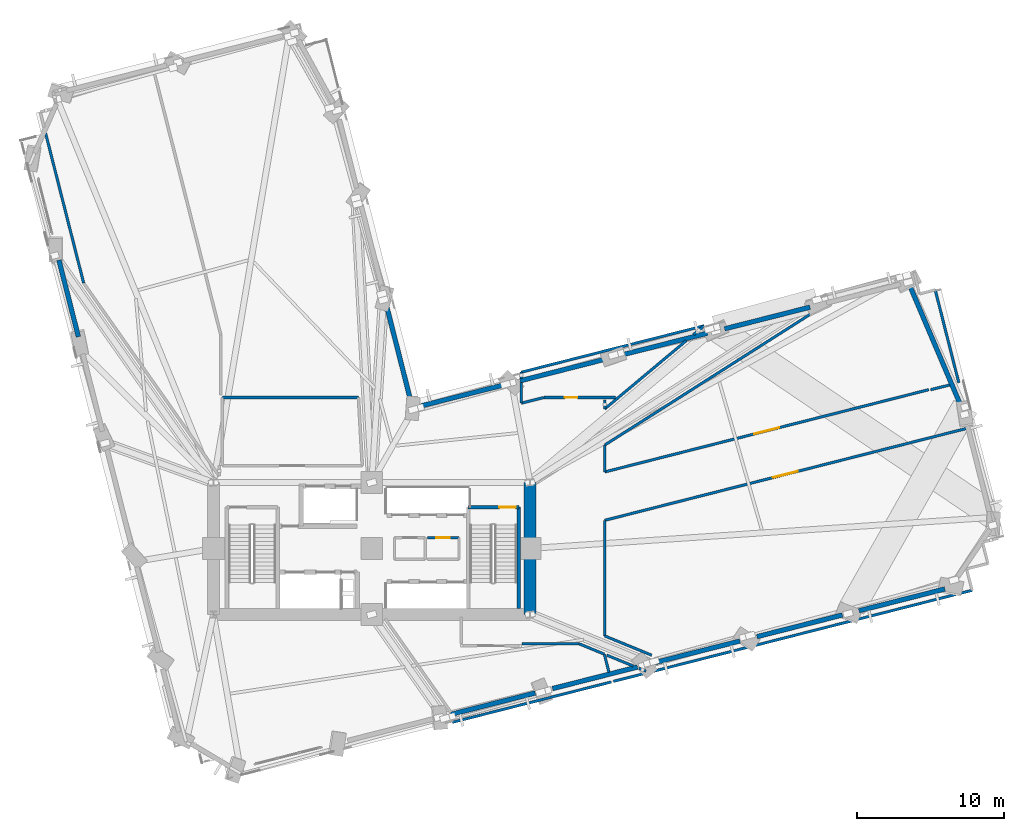
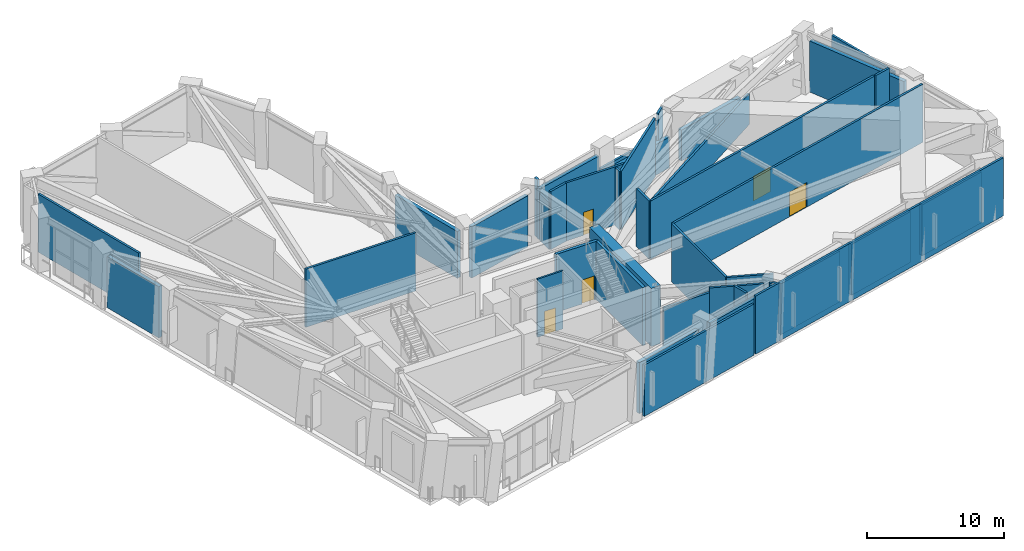
# One storey, part 11 of 17: 41 walls, 5 doors, 5 openings.
"""IFC4 building model written with IfcOpenShell, lengths in metres."""

import ifcopenshell
import ifcopenshell.guid

model = None  # the IFC model being written
_history = None  # IfcOwnerHistory: only IFC2X3 demands one
_inside = {}  # id of a spatial element -> (the spatial element, [elements in it])
_under = {}  # id of a project, library or spatial element -> (it, [spatial elements below it])
_declared = {}  # id of a project -> (the project, [libraries it declares])
_typed = {}  # id of a type object -> (the type object, [elements of that type])
_made_of = {}  # id of a material, layer set ... -> (it, [elements and type objects made of it])


def new_model(schema):
    """Start an empty IFC model of exactly this schema.

    Asked for "IFC4X3", IfcOpenShell would pick the latest addendum, in which some entities
    have other attributes; the version numbers below select the first issue.
    IFC2X3 requires an IfcOwnerHistory on every rooted entity: one is made here for all.
    """
    global model, _history
    if schema == "IFC4X3":
        model = ifcopenshell.file(schema_version=(4, 3, 0, 0))
    else:
        model = ifcopenshell.file(schema=schema)
    _inside.clear()
    _under.clear()
    _declared.clear()
    _typed.clear()
    _made_of.clear()
    _history = None
    if model.schema == "IFC2X3":
        org = make("IfcOrganization", Name="unknown")
        user = make(
            "IfcPersonAndOrganization",
            ThePerson=make("IfcPerson", FamilyName="unknown"),
            TheOrganization=org,
        )
        app = make(
            "IfcApplication",
            ApplicationDeveloper=org,
            Version="unknown",
            ApplicationFullName="unknown",
            ApplicationIdentifier="unknown",
        )
        _history = make(
            "IfcOwnerHistory",
            OwningUser=user,
            OwningApplication=app,
            ChangeAction="ADDED",
            CreationDate=0,
        )
    return model


def make(cls, **values):
    """One entity of the class cls with the attributes given. An attribute that is None is left unset."""
    return model.create_entity(
        cls, **{name: value for name, value in values.items() if value is not None}
    )


def rooted(cls, **values):
    """An entity with a GlobalId (a new one), such as an element, a storey or a relation."""
    return make(cls, GlobalId=ifcopenshell.guid.new(), OwnerHistory=_history, **values)


def si_unit(unit_type, name, prefix=None):
    """IfcSIUnit, for example si_unit("LENGTHUNIT", "METRE", prefix="MILLI")."""
    return make("IfcSIUnit", UnitType=unit_type, Prefix=prefix, Name=name)


def assignment(units):
    """IfcUnitAssignment: the units of a project."""
    return None if units is None else make("IfcUnitAssignment", Units=units)


def point(xyz):
    """IfcCartesianPoint."""
    return None if xyz is None else make("IfcCartesianPoint", Coordinates=xyz)


def direction(xyz):
    """IfcDirection."""
    return None if xyz is None else make("IfcDirection", DirectionRatios=xyz)


def frame(location, z_axis=None, x_axis=None):
    """IfcAxis2Placement3D, a coordinate frame: its origin and axes. An axis left out is left unset."""
    return make(
        "IfcAxis2Placement3D",
        Location=point(location),
        Axis=direction(z_axis),
        RefDirection=direction(x_axis),
    )


def frame_2d(location, x_axis=None):
    """IfcAxis2Placement2D, a coordinate frame in the plane: its origin and x axis."""
    return make(
        "IfcAxis2Placement2D", Location=point(location), RefDirection=direction(x_axis)
    )


def origin():
    """The frame at (0, 0, 0) with its axes left unset."""
    return frame((0.0, 0.0, 0.0))


def place(relative_to, where):
    """IfcLocalPlacement: puts the frame where relative to a parent placement (None: the world)."""
    return make(
        "IfcLocalPlacement", PlacementRelTo=relative_to, RelativePlacement=where
    )


def context(
    kind, dimensions, precision=None, world=None, true_north=None, identifier=None
):
    """IfcGeometricRepresentationContext, for example the 3D "Model" context."""
    return make(
        "IfcGeometricRepresentationContext",
        ContextIdentifier=identifier,
        ContextType=kind,
        CoordinateSpaceDimension=dimensions,
        Precision=precision,
        WorldCoordinateSystem=world,
        TrueNorth=true_north,
    )


def subcontext(parent, identifier, kind, view, scale=None):
    """IfcGeometricRepresentationSubContext, for example "Body" below "Model"."""
    return make(
        "IfcGeometricRepresentationSubContext",
        ContextIdentifier=identifier,
        ContextType=kind,
        ParentContext=parent,
        TargetScale=scale,
        TargetView=view,
    )


def project(units=None, contexts=None):
    """IfcProject with its units and contexts."""
    return rooted(
        "IfcProject",
        Name="project",
        RepresentationContexts=contexts,
        UnitsInContext=assignment(units),
    )


def spatial(cls, under=None, at=None, **own):
    """A site, building, storey or space (cls), placed at a placement, below another one or the project."""
    s = rooted(cls, ObjectPlacement=at, **own)
    if under is not None:
        _under.setdefault(under.id(), (under, []))[1].append(s)
    return s


def profile(cls, at=None, kind="AREA", **sizes):
    """A parametric profile (cls). Its sizes go by their IFC names, for example OverallWidth=200.0."""
    return make(cls, ProfileType=kind, Position=at, **sizes)


def rectangle(**sizes):
    """IfcRectangleProfileDef."""
    return profile("IfcRectangleProfileDef", **sizes)


def extrude(swept, where, along, depth):
    """IfcExtrudedAreaSolid: the profile swept, set in the frame where, extruded along a direction by depth."""
    return make(
        "IfcExtrudedAreaSolid",
        SweptArea=swept,
        Position=where,
        ExtrudedDirection=direction(along),
        Depth=depth,
    )


def shape(context_of_items, identifier, shape_type, items):
    """IfcShapeRepresentation: the items that make up one representation, for example the "Body"."""
    return make(
        "IfcShapeRepresentation",
        ContextOfItems=context_of_items,
        RepresentationIdentifier=identifier,
        RepresentationType=shape_type,
        Items=items,
    )


def material(Name=None, Category=None):
    """IfcMaterial."""
    return make("IfcMaterial", Name=Name, Category=Category)


def layer(
    of_material, thickness, ventilated=None, Name=None, Category=None, Priority=None
):
    """IfcMaterialLayer: one layer of a wall or slab, of a material (None: an air gap)."""
    return make(
        "IfcMaterialLayer",
        Material=of_material,
        LayerThickness=thickness,
        IsVentilated=ventilated,
        Name=Name,
        Category=Category,
        Priority=Priority,
    )


def layer_set(layers, Name=None):
    """IfcMaterialLayerSet."""
    return make("IfcMaterialLayerSet", MaterialLayers=layers, LayerSetName=Name)


def made_of(thing, what):
    """Note that an element or type object is made of a material, layer set ...; save() writes the relation."""
    if what is not None:
        _made_of.setdefault(what.id(), (what, []))[1].append(thing)
    return thing


def type_object(cls, material=None, **own):
    """A type object (cls), such as IfcWallType, which elements share."""
    return made_of(rooted(cls, **own), material)


def element(
    cls,
    number,
    at=None,
    inside=None,
    cuts=None,
    type_object=None,
    material=None,
    context=None,
    identifier="Body",
    shape_type=None,
    held_by="IfcProductDefinitionShape",
    body=None,
    shapes=None,
    **own,
):
    """One element of the class cls, such as IfcWall. Its Tag is "e" and its number.

    at: its placement. inside: the storey or other place that contains it. cuts: it is an
    opening in that element (IfcRelVoidsElement). A single representation is given by context,
    identifier, shape_type and body (its items); several are given by shapes. held_by: the class
    of the entity that holds the representations. save() writes the other relations.
    """
    e = rooted(cls, Tag="e%d" % number, ObjectPlacement=at, **own)
    if body is not None:
        shapes = [shape(context, identifier, shape_type, body)]
    if shapes is not None:
        e.Representation = make(held_by, Representations=shapes)
    if inside is not None:
        _inside.setdefault(inside.id(), (inside, []))[1].append(e)
    if cuts is not None:
        rooted(
            "IfcRelVoidsElement", RelatingBuildingElement=cuts, RelatedOpeningElement=e
        )
    if type_object is not None:
        _typed.setdefault(type_object.id(), (type_object, []))[1].append(e)
    return made_of(e, material)


def fill(opening, filler):
    """IfcRelFillsElement: the door or window that sits in an opening."""
    return rooted(
        "IfcRelFillsElement",
        RelatingOpeningElement=opening,
        RelatedBuildingElement=filler,
    )


def aggregate(whole, parts):
    """IfcRelAggregates: a whole, such as a stair, and the parts it consists of."""
    return rooted("IfcRelAggregates", RelatingObject=whole, RelatedObjects=parts)


def save(model, path):
    """Write the relations noted so far, then the file.

    IfcRelAggregates (storeys below a building ...), IfcRelContainedInSpatialStructure (elements
    in a storey), IfcRelDefinesByType, IfcRelAssociatesMaterial and IfcRelDeclares: one each for
    every whole, place, type object, material and project.
    """
    for whole, parts in _under.values():
        aggregate(whole, parts)
    for where, things in _inside.values():
        rooted(
            "IfcRelContainedInSpatialStructure",
            RelatedElements=things,
            RelatingStructure=where,
        )
    for kind, things in _typed.values():
        rooted("IfcRelDefinesByType", RelatedObjects=things, RelatingType=kind)
    for what, things in _made_of.values():
        rooted("IfcRelAssociatesMaterial", RelatedObjects=things, RelatingMaterial=what)
    for by, libraries in _declared.values():
        rooted("IfcRelDeclares", RelatingContext=by, RelatedDefinitions=libraries)
    model.write(path)


model = new_model("IFC4")

# Units and contexts
model_context = context("Model", 3, precision=1e-05, world=origin(), true_north=direction((0.0, 1.0)))
body_context = subcontext(model_context, "Body", "Model", "MODEL_VIEW")
ifc_project = project(units=[si_unit("LENGTHUNIT", "METRE"), si_unit("AREAUNIT", "SQUARE_METRE"), si_unit("VOLUMEUNIT", "CUBIC_METRE"), si_unit("PLANEANGLEUNIT", "RADIAN"), si_unit("MASSUNIT", "GRAM", prefix="KILO")], contexts=[model_context])

# Site, building, storey
site_placement = place(None, origin())
site = spatial("IfcSite", under=ifc_project, at=site_placement, CompositionType="ELEMENT")
building_placement = place(site_placement, origin())
building = spatial("IfcBuilding", under=site, at=building_placement, Name="Gaonmaruhae Medical Tower", CompositionType="ELEMENT")
storey_placement = place(building_placement, frame((0.0, 0.0, 83.0)))
storey = spatial("IfcBuildingStorey", under=building, at=storey_placement, Name="L19", CompositionType="ELEMENT", Elevation=83.0)

# Walls
ifc_material_1 = material(Name="Concrete C60/75", Category="concrete")
ifc_layer_1 = layer(ifc_material_1, 0.800048828125)
ifc_layer_set_1 = layer_set([ifc_layer_1], Name="Concrete C60/75")
wall_type_1 = type_object("IfcWallType", Name="CW-800 Lower Core Shear Wall", PredefinedType="SHEAR", material=ifc_layer_set_1)
wall_1_placement = place(storey_placement, frame((35.60009765625, 7.800048828125, 0.0), z_axis=(0.0, 0.0, 1.0), x_axis=(0.0, 1.0, 0.0)))
element("IfcWall", 1, at=wall_1_placement, inside=storey, type_object=wall_type_1, Name="L19 Core Shear Wall CSW-E1", PredefinedType="SHEAR", context=body_context, shape_type="SweptSolid", body=[
    extrude(rectangle(XDim=9.0, YDim=0.800048828125, at=frame_2d((4.5, 0.0))), origin(), (0.0, 0.0, 1.0), 5.179931640625),
])
ifc_material_2 = material(Name="Precast concrete C45/55", Category="concrete")
ifc_layer_2 = layer(ifc_material_2, 0.320068359375)
ifc_layer_set_2 = layer_set([ifc_layer_2], Name="Precast concrete C45/55")
wall_type_2 = type_object("IfcWallType", Name="EW-320 Lower Precast Masonry-Frame Facade Wall", PredefinedType="SOLIDWALL", material=ifc_layer_set_2)
wall_2_placement = place(storey_placement, frame((35.953125, 2.44140625, 0.0), z_axis=(0.0, 0.0, 1.0), x_axis=(-0.969219654185, -0.246197607506, 0.0)))
element("IfcWall", 2, at=wall_2_placement, inside=storey, type_object=wall_type_2, Name="L19 Precast Masonry-Frame Wall S03-S04", PredefinedType="SOLIDWALL", context=body_context, shape_type="SweptSolid", body=[
    extrude(rectangle(XDim=5.989501953125, YDim=0.320068359375, at=frame_2d((2.99462890625, 0.0))), origin(), (0.0, 0.0, 1.0), 4.56494140625),
])
wall_3_placement = place(storey_placement, frame((42.931884765625, 4.213623046875, 0.0), z_axis=(0.0, 0.0, 1.0), x_axis=(-0.969236021159, -0.246133165762, 0.0)))
element("IfcWall", 3, at=wall_3_placement, inside=storey, type_object=wall_type_2, Name="L19 Precast Masonry-Frame Wall S04-S05", PredefinedType="SOLIDWALL", context=body_context, shape_type="SweptSolid", body=[
    extrude(rectangle(XDim=5.985107421875, YDim=0.320068359375, at=frame_2d((2.99267578125, 0.0))), origin(), (0.0, 0.0, 1.0), 4.544921875),
])
wall_4_placement = place(storey_placement, frame((49.91650390625, 5.987548828125, 0.0), z_axis=(0.0, 0.0, 1.0), x_axis=(-0.969234780213, -0.246138052372, 0.0)))
element("IfcWall", 4, at=wall_4_placement, inside=storey, type_object=wall_type_2, Name="L19 Precast Masonry-Frame Wall S05-S06", PredefinedType="SOLIDWALL", context=body_context, shape_type="SweptSolid", body=[
    extrude(rectangle(XDim=5.992919921875, YDim=0.320068359375, at=frame_2d((2.99658203125, 0.0))), origin(), (0.0, 0.0, 1.0), 4.544921875),
])
wall_5_placement = place(storey_placement, frame((56.906982421875, 7.7626953125, 0.0), z_axis=(0.0, 0.0, 1.0), x_axis=(-0.969240148904, -0.246116910742, 0.0)))
element("IfcWall", 5, at=wall_5_placement, inside=storey, type_object=wall_type_2, Name="L19 Precast Masonry-Frame Wall S06-S07", PredefinedType="SOLIDWALL", context=body_context, shape_type="SweptSolid", body=[
    extrude(rectangle(XDim=6.012451171875, YDim=0.320068359375, at=frame_2d((3.00634765625, 0.0))), origin(), (0.0, 0.0, 1.0), 4.544921875),
])
wall_6_placement = place(storey_placement, frame((63.903564453125, 9.539794921875, 0.0), z_axis=(0.0, 0.0, 1.0), x_axis=(-0.969232910657, -0.246145414133, 0.0)))
element("IfcWall", 6, at=wall_6_placement, inside=storey, type_object=wall_type_2, Name="L19 Precast Masonry-Frame Wall S07-S08", PredefinedType="SOLIDWALL", context=body_context, shape_type="SweptSolid", body=[
    extrude(rectangle(XDim=6.04443359375, YDim=0.320068359375, at=frame_2d((3.022216796875, 0.0))), origin(), (0.0, 0.0, 1.0), 4.544921875),
])
wall_7_placement = place(storey_placement, frame((61.556884765625, 30.124755859375, 0.0), z_axis=(0.0, 0.0, 1.0), x_axis=(0.391383091867, -0.920227838853, 0.0)))
element("IfcWall", 7, at=wall_7_placement, inside=storey, type_object=wall_type_2, Name="L19 Precast Masonry-Frame Wall E02-E03", PredefinedType="SOLIDWALL", context=body_context, shape_type="SweptSolid", body=[
    extrude(rectangle(XDim=8.614013671875, YDim=0.320068359375, at=frame_2d((4.30712890625, 0.0))), origin(), (0.0, 0.0, 1.0), 4.544921875),
])
wall_8_placement = place(storey_placement, frame((48.86376953125, 27.28369140625, 0.0), z_axis=(0.0, 0.0, 1.0), x_axis=(0.96923230388, 0.246147803394, 0.0)))
element("IfcWall", 8, at=wall_8_placement, inside=storey, type_object=wall_type_2, Name="L19 Precast Masonry-Frame Wall EN01-EN02", PredefinedType="SOLIDWALL", context=body_context, shape_type="SweptSolid", body=[
    extrude(rectangle(XDim=6.0244140625, YDim=0.320068359375, at=frame_2d((3.01220703125, 0.0))), origin(), (0.0, 0.0, 1.0), 2.7451171875),
])
wall_9_placement = place(storey_placement, frame((41.894775390625, 25.513916015625, 0.0), z_axis=(0.0, 0.0, 1.0), x_axis=(0.969240631238, 0.24611501124, 0.0)))
element("IfcWall", 9, at=wall_9_placement, inside=storey, type_object=wall_type_2, Name="L19 Precast Masonry-Frame Wall EN02-EN03", PredefinedType="SOLIDWALL", context=body_context, shape_type="SweptSolid", body=[
    extrude(rectangle(XDim=5.99951171875, YDim=0.320068359375, at=frame_2d((2.999755859375, 0.0))), origin(), (0.0, 0.0, 1.0), 2.7451171875),
])
wall_10_placement = place(storey_placement, frame((34.919921875, 23.742431640625, 0.0), z_axis=(0.0, 0.0, 1.0), x_axis=(0.969236328212, 0.246131956628, 0.0)))
element("IfcWall", 10, at=wall_10_placement, inside=storey, type_object=wall_type_2, Name="L19 Precast Masonry-Frame Wall EN03-EN04", PredefinedType="SOLIDWALL", context=body_context, shape_type="SweptSolid", body=[
    extrude(rectangle(XDim=5.987060546875, YDim=0.320068359375, at=frame_2d((2.99365234375, 0.0))), origin(), (0.0, 0.0, 1.0), 4.56494140625),
])
wall_11_placement = place(storey_placement, frame((28.181884765625, 22.031005859375, 0.0), z_axis=(0.0, 0.0, 1.0), x_axis=(0.969226900904, 0.246169077189, 0.0)))
element("IfcWall", 11, at=wall_11_placement, inside=storey, type_object=wall_type_2, Name="L19 Precast Masonry-Frame Wall EN04-KN01", PredefinedType="SOLIDWALL", context=body_context, shape_type="SweptSolid", body=[
    extrude(rectangle(XDim=5.736328125, YDim=0.320068359375, at=frame_2d((2.8681640625, 0.0))), origin(), (0.0, 0.0, 1.0), 4.56494140625),
])
wall_12_placement = place(storey_placement, frame((27.447509765625, 22.415771484375, 0.0), z_axis=(0.0, 0.0, 1.0), x_axis=(-0.246154960107, 0.969230486321, 0.0)))
element("IfcWall", 12, at=wall_12_placement, inside=storey, type_object=wall_type_2, Name="L19 Precast Masonry-Frame Wall KN01-NE01", PredefinedType="SOLIDWALL", context=body_context, shape_type="SweptSolid", body=[
    extrude(rectangle(XDim=6.5361328125, YDim=0.320068359375, at=frame_2d((3.26806640625, 0.0))), origin(), (0.0, 0.0, 1.0), 4.1650390625),
])
wall_13_placement = place(storey_placement, frame((4.78515625, 26.74267578125, 0.0), z_axis=(0.0, 0.0, 1.0), x_axis=(-0.246150475712, 0.96923162521, 0.0)))
element("IfcWall", 13, at=wall_13_placement, inside=storey, type_object=wall_type_2, Name="L19 Precast Masonry-Frame Wall W02-W03", PredefinedType="SOLIDWALL", context=body_context, shape_type="SweptSolid", body=[
    extrude(rectangle(XDim=5.400634765625, YDim=0.320068359375, at=frame_2d((2.7001953125, 0.0))), origin(), (0.0, 0.0, 1.0), 4.56494140625),
])

# Wall, opening, door
ifc_material_3 = material(Name="Gypsum board partition", Category="gypsum")
ifc_layer_3 = layer(ifc_material_3, 0.14990234375)
ifc_layer_set_3 = layer_set([ifc_layer_3], Name="Gypsum board partition")
wall_type_3 = type_object("IfcWallType", Name="PW-150 Rated Clinical Corridor Partition", PredefinedType="PARTITIONING", material=ifc_layer_set_3)
wall_14_placement = place(storey_placement, frame((28.60009765625, 13.0400390625, 0.0), z_axis=(0.0, 0.0, 1.0), x_axis=(1.0, 0.0, 0.0)))
wall_14 = element("IfcWall", 14, at=wall_14_placement, inside=storey, type_object=wall_type_3, Name="L19 Interior Partition L19-CS2-5", PredefinedType="PARTITIONING", context=body_context, shape_type="SweptSolid", body=[
    extrude(rectangle(XDim=2.14990234375, YDim=0.14990234375, at=frame_2d((1.074951171875, 0.0))), origin(), (0.0, 0.0, 1.0), 5.179931640625),
])
opening_1_placement = place(wall_14_placement, frame((0.614990234375, 0.0, 0.0)))
opening_1 = element("IfcOpeningElement", 15, at=opening_1_placement, cuts=wall_14, Name="Opening UD-01", PredefinedType="OPENING", context=body_context, shape_type="SweptSolid", body=[
    extrude(rectangle(XDim=0.919921875, YDim=2.10009765625, at=frame_2d((0.4599609375, 1.050048828125))), frame((0.0, 0.0849609375, 0.0), z_axis=(0.0, -1.0, 0.0), x_axis=(1.0, 0.0, 0.0)), (0.0, 0.0, 1.0), 0.169921875),
])
ifc_material_4 = material(Name="Powder-coated steel utility door", Category="steel")
door_type_1 = type_object("IfcDoorType", Name="UD-01 Toilet, Utility & Housekeeping Door 920x2100", OperationType="NOTDEFINED", PredefinedType="DOOR", material=ifc_material_4)
door_1_placement = place(opening_1_placement, origin())
door_1 = element("IfcDoor", 16, at=door_1_placement, inside=storey, type_object=door_type_1, Name="L19 Biomedical Telemetry Closet Door", OperationType="SINGLE_SWING_RIGHT", OverallHeight=2.10009765625, OverallWidth=0.919921875, PredefinedType="DOOR", context=body_context, shape_type="SweptSolid", body=[
    extrude(rectangle(XDim=0.919921875, YDim=2.10009765625, at=frame_2d((0.4599609375, 1.050048828125))), frame((0.0, 0.02490234375, 0.0), z_axis=(0.0, -1.0, 0.0), x_axis=(1.0, 0.0, 0.0)), (0.0, 0.0, 1.0), 0.050048828125),
])
fill(opening_1, door_1)

# Walls
ifc_layer_4 = layer(ifc_material_3, 0.179931640625)
ifc_layer_set_4 = layer_set([ifc_layer_4], Name="Gypsum board partition")
wall_type_4 = type_object("IfcWallType", Name="PW-180 Refuge & Plant Acoustic Fire Partition", PredefinedType="PARTITIONING", material=ifc_layer_set_4)
wall_15_placement = place(storey_placement, frame((14.60009765625, 22.60009765625, 0.0), z_axis=(0.0, 0.0, 1.0), x_axis=(1.0, 0.0, 0.0)))
element("IfcWall", 17, at=wall_15_placement, inside=storey, type_object=wall_type_4, Name="L19 Interior Partition L19-REF1-9", PredefinedType="PARTITIONING", context=body_context, shape_type="SweptSolid", body=[
    extrude(rectangle(XDim=9.2939453125, YDim=0.179931640625, at=frame_2d((4.64697265625, 0.0))), origin(), (0.0, 0.0, 1.0), 5.179931640625),
])
wall_16_placement = place(storey_placement, frame((35.04296875, 5.800048828125, 0.0), z_axis=(0.0, 0.0, 1.0), x_axis=(1.0, 0.0, 0.0)))
element("IfcWall", 18, at=wall_16_placement, inside=storey, type_object=wall_type_4, Name="L19 Interior Partition L19-CHILB-21", PredefinedType="PARTITIONING", context=body_context, shape_type="SweptSolid", body=[
    extrude(rectangle(XDim=3.900146484375, YDim=0.179931640625, at=frame_2d((1.9501953125, 0.0))), origin(), (0.0, 0.0, 1.0), 4.764892578125),
])
wall_17_placement = place(storey_placement, frame((38.943115234375, 5.800048828125, 0.0), z_axis=(0.0, 0.0, 1.0), x_axis=(0.92498943216, -0.379992829395, 0.0)))
element("IfcWall", 19, at=wall_17_placement, inside=storey, type_object=wall_type_4, Name="L19 Interior Partition L19-CHILB-22", PredefinedType="PARTITIONING", context=body_context, shape_type="SweptSolid", body=[
    extrude(rectangle(XDim=1.86572265625, YDim=0.179931640625, at=frame_2d((0.932861328125, 0.0))), origin(), (0.0, 0.0, 1.0), 5.179931640625),
])
wall_18_placement = place(storey_placement, frame((40.6689453125, 5.091064453125, 0.0), z_axis=(0.0, 0.0, 1.0), x_axis=(0.246010773023, -0.969267094023, 0.0)))
element("IfcWall", 20, at=wall_18_placement, inside=storey, type_object=wall_type_4, Name="L19 Interior Partition L19-CHILB-23", PredefinedType="PARTITIONING", context=body_context, shape_type="SweptSolid", body=[
    extrude(rectangle(XDim=1.272216796875, YDim=0.179931640625, at=frame_2d((0.63623046875, 0.0))), origin(), (0.0, 0.0, 1.0), 5.179931640625),
])
wall_19_placement = place(storey_placement, frame((41.15087890625, 3.194091796875, 0.0), z_axis=(0.0, 0.0, 1.0), x_axis=(-0.969218631588, -0.246201633185, 0.0)))
element("IfcWall", 21, at=wall_19_placement, inside=storey, type_object=wall_type_4, Name="L19 Interior Partition L19-CHILB-24", PredefinedType="PARTITIONING", context=body_context, shape_type="SweptSolid", body=[
    extrude(rectangle(XDim=11.198486328125, YDim=0.179931640625, at=frame_2d((5.59912109375, 0.0))), origin(), (0.0, 0.0, 1.0), 4.56494140625),
])
wall_20_placement = place(storey_placement, frame((43.89990234375, 5.01904296875, 0.0), z_axis=(0.0, 0.0, 1.0), x_axis=(-0.925050376208, 0.37984444379, 0.0)))
element("IfcWall", 22, at=wall_20_placement, inside=storey, type_object=wall_type_4, Name="L19 Interior Partition L19-AHU-26", PredefinedType="PARTITIONING", context=body_context, shape_type="SweptSolid", body=[
    extrude(rectangle(XDim=3.459228515625, YDim=0.179931640625, at=frame_2d((1.7294921875, 0.0))), origin(), (0.0, 0.0, 1.0), 5.179931640625),
])
wall_21_placement = place(storey_placement, frame((40.699951171875, 6.3330078125, 0.0), z_axis=(0.0, 0.0, 1.0), x_axis=(0.0, 1.0, 0.0)))
element("IfcWall", 23, at=wall_21_placement, inside=storey, type_object=wall_type_4, Name="L19 Interior Partition L19-AHU-27", PredefinedType="PARTITIONING", context=body_context, shape_type="SweptSolid", body=[
    extrude(rectangle(XDim=7.888916015625, YDim=0.179931640625, at=frame_2d((3.9443359375, 0.0))), origin(), (0.0, 0.0, 1.0), 5.179931640625),
])

# Wall, opening, door
wall_22_placement = place(storey_placement, frame((40.699951171875, 14.221923828125, 0.0), z_axis=(0.0, 0.0, 1.0), x_axis=(0.969224989777, 0.246176601634, 0.0)))
wall_22 = element("IfcWall", 24, at=wall_22_placement, inside=storey, type_object=wall_type_4, Name="L19 Interior Partition L19-AHU-28", PredefinedType="PARTITIONING", context=body_context, shape_type="SweptSolid", body=[
    extrude(rectangle(XDim=25.436767578125, YDim=0.179931640625, at=frame_2d((12.71826171875, 0.0))), origin(), (0.0, 0.0, 1.0), 5.179931640625),
])
opening_2_placement = place(wall_22_placement, frame((11.843505859375, 0.0, 0.0)))
opening_2 = element("IfcOpeningElement", 25, at=opening_2_placement, cuts=wall_22, Name="Opening PD-01", PredefinedType="OPENING", context=body_context, shape_type="SweptSolid", body=[
    extrude(rectangle(XDim=1.75, YDim=2.199951171875, at=frame_2d((0.875, 1.10009765625))), frame((0.0, 0.10009765625, 0.0), z_axis=(0.0, -1.0, 0.0), x_axis=(1.0, 0.0, 0.0)), (0.0, 0.0, 1.0), 0.199951171875),
])
ifc_material_5 = material(Name="Acoustic galvanised steel plant door", Category="steel")
door_type_2 = type_object("IfcDoorType", Name="PD-01 Mechanical Plant Double Equipment Door 1750x2200", OperationType="NOTDEFINED", PredefinedType="DOOR", material=ifc_material_5)
door_2_placement = place(opening_2_placement, origin())
door_2 = element("IfcDoor", 26, at=door_2_placement, inside=storey, type_object=door_type_2, Name="L19 Clinical Air Handling Unit Plant Room Door", OperationType="DOUBLE_DOOR_SINGLE_SWING", OverallHeight=2.199951171875, OverallWidth=1.75, PredefinedType="DOOR", context=body_context, shape_type="SweptSolid", body=[
    extrude(rectangle(XDim=1.75, YDim=2.199951171875, at=frame_2d((0.875, 1.10009765625))), frame((0.0, 0.02490234375, 0.0), z_axis=(0.0, -1.0, 0.0), x_axis=(1.0, 0.0, 0.0)), (0.0, 0.0, 1.0), 0.050048828125),
])
fill(opening_2, door_2)

# Walls
wall_23_placement = place(storey_placement, frame((65.76904296875, 9.446044921875, 0.0), z_axis=(0.0, 0.0, 1.0), x_axis=(-0.969233735064, -0.246142167889, 0.0)))
element("IfcWall", 27, at=wall_23_placement, inside=storey, type_object=wall_type_4, Name="L19 Interior Partition L19-AHU-34", PredefinedType="PARTITIONING", context=body_context, shape_type="SweptSolid", body=[
    extrude(rectangle(XDim=25.25, YDim=0.179931640625, at=frame_2d((12.625, 0.0))), origin(), (0.0, 0.0, 1.0), 5.179931640625),
])
wall_24_placement = place(storey_placement, frame((40.842041015625, 5.02099609375, 0.0), z_axis=(0.0, 0.0, 1.0), x_axis=(0.925329603133, -0.379163718683, 0.0)))
element("IfcWall", 28, at=wall_24_placement, inside=storey, type_object=wall_type_4, Name="L19 Interior Partition L19-AHU-35", PredefinedType="PARTITIONING", context=body_context, shape_type="SweptSolid", body=[
    extrude(rectangle(XDim=1.95166015625, YDim=0.179931640625, at=frame_2d((0.975830078125, 0.0))), origin(), (0.0, 0.0, 1.0), 5.179931640625),
])
wall_25_placement = place(storey_placement, frame((43.031982421875, 4.123046875, 0.0), z_axis=(0.0, 0.0, 1.0), x_axis=(0.925367274074, -0.379071771664, 0.0)))
element("IfcWall", 29, at=wall_25_placement, inside=storey, type_object=wall_type_4, Name="L19 Interior Partition L19-AHU-36", PredefinedType="PARTITIONING", context=body_context, shape_type="SweptSolid", body=[
    extrude(rectangle(XDim=0.519775390625, YDim=0.179931640625, at=frame_2d((0.259765625, 0.0))), origin(), (0.0, 0.0, 1.0), 5.179931640625),
])

# Wall, opening, door
wall_26_placement = place(storey_placement, frame((62.80810546875, 23.137939453125, 0.0), z_axis=(0.0, 0.0, 1.0), x_axis=(-0.969238672717, -0.246122724081, 0.0)))
wall_26 = element("IfcWall", 30, at=wall_26_placement, inside=storey, type_object=wall_type_4, Name="L19 Interior Partition L19-PUMP-37", PredefinedType="PARTITIONING", context=body_context, shape_type="SweptSolid", body=[
    extrude(rectangle(XDim=22.809814453125, YDim=0.179931640625, at=frame_2d((11.40478515625, 0.0))), origin(), (0.0, 0.0, 1.0), 5.179931640625),
])
opening_3_placement = place(wall_26_placement, frame((10.52978515625, 0.0, 0.0)))
opening_3 = element("IfcOpeningElement", 31, at=opening_3_placement, cuts=wall_26, Name="Opening PD-01", PredefinedType="OPENING", context=body_context, shape_type="SweptSolid", body=[
    extrude(rectangle(XDim=1.75, YDim=2.199951171875, at=frame_2d((0.875, 1.10009765625))), frame((0.0, 0.10009765625, 0.0), z_axis=(0.0, -1.0, 0.0), x_axis=(1.0, 0.0, 0.0)), (0.0, 0.0, 1.0), 0.199951171875),
])
door_3_placement = place(opening_3_placement, origin())
door_3 = element("IfcDoor", 32, at=door_3_placement, inside=storey, type_object=door_type_2, Name="L19 Domestic Booster and Fire Pump Tank Room Door", OperationType="DOUBLE_DOOR_SINGLE_SWING", OverallHeight=2.199951171875, OverallWidth=1.75, PredefinedType="DOOR", context=body_context, shape_type="SweptSolid", body=[
    extrude(rectangle(XDim=1.75, YDim=2.199951171875, at=frame_2d((0.875, 1.10009765625))), frame((0.0, 0.02490234375, 0.0), z_axis=(0.0, -1.0, 0.0), x_axis=(1.0, 0.0, 0.0)), (0.0, 0.0, 1.0), 0.050048828125),
])
fill(opening_3, door_3)

# Walls
wall_27_placement = place(storey_placement, frame((40.699951171875, 17.52392578125, 0.0), z_axis=(0.0, 0.0, 1.0), x_axis=(0.0, 1.0, 0.0)))
element("IfcWall", 33, at=wall_27_placement, inside=storey, type_object=wall_type_4, Name="L19 Interior Partition L19-PUMP-38", PredefinedType="PARTITIONING", context=body_context, shape_type="SweptSolid", body=[
    extrude(rectangle(XDim=1.8349609375, YDim=0.179931640625, at=frame_2d((0.91748046875, 0.0))), origin(), (0.0, 0.0, 1.0), 5.179931640625),
])
wall_28_placement = place(storey_placement, frame((40.699951171875, 19.35888671875, 0.0), z_axis=(0.0, 0.0, 1.0), x_axis=(0.843628814832, 0.536926831873, 0.0)))
element("IfcWall", 34, at=wall_28_placement, inside=storey, type_object=wall_type_4, Name="L19 Interior Partition L19-PUMP-39", PredefinedType="PARTITIONING", context=body_context, shape_type="SweptSolid", body=[
    extrude(rectangle(XDim=17.53857421875, YDim=0.179931640625, at=frame_2d((8.769287109375, 0.0))), origin(), (0.0, 0.0, 1.0), 2.7451171875),
])
wall_29_placement = place(storey_placement, frame((63.242919921875, 29.955078125, 0.0), z_axis=(0.0, 0.0, 1.0), x_axis=(0.246129945664, -0.969236838883, 0.0)))
element("IfcWall", 35, at=wall_29_placement, inside=storey, type_object=wall_type_4, Name="L19 Interior Partition L19-PUMP-43", PredefinedType="PARTITIONING", context=body_context, shape_type="SweptSolid", body=[
    extrude(rectangle(XDim=6.549560546875, YDim=0.179931640625, at=frame_2d((3.27490234375, 0.0))), origin(), (0.0, 0.0, 1.0), 4.544921875),
])
wall_30_placement = place(storey_placement, frame((64.24609375, 23.45703125, 0.0), z_axis=(0.0, 0.0, 1.0), x_axis=(-0.971260933959, -0.238017222412, 0.0)))
element("IfcWall", 36, at=wall_30_placement, inside=storey, type_object=wall_type_4, Name="L19 Interior Partition L19-PUMP-44", PredefinedType="PARTITIONING", context=body_context, shape_type="SweptSolid", body=[
    extrude(rectangle(XDim=1.361083984375, YDim=0.179931640625, at=frame_2d((0.6806640625, 0.0))), origin(), (0.0, 0.0, 1.0), 5.179931640625),
])

# Wall, opening, door
wall_31_placement = place(storey_placement, frame((41.429931640625, 22.60009765625, 0.0), z_axis=(0.0, 0.0, 1.0), x_axis=(-1.0, 0.0, 0.0)))
wall_31 = element("IfcWall", 37, at=wall_31_placement, inside=storey, type_object=wall_type_4, Name="L19 Interior Partition L19-PUMPB-45", PredefinedType="PARTITIONING", context=body_context, shape_type="SweptSolid", body=[
    extrude(rectangle(XDim=4.888916015625, YDim=0.179931640625, at=frame_2d((2.4443359375, 0.0))), origin(), (0.0, 0.0, 1.0), 5.179931640625),
])
opening_4_placement = place(wall_31_placement, frame((2.59423828125, 0.0, 0.0)))
opening_4 = element("IfcOpeningElement", 38, at=opening_4_placement, cuts=wall_31, Name="Opening AD-01", PredefinedType="OPENING", context=body_context, shape_type="SweptSolid", body=[
    extrude(rectangle(XDim=0.860107421875, YDim=2.06005859375, at=frame_2d((0.43017578125, 1.030029296875))), frame((0.0, 0.10009765625, 0.0), z_axis=(0.0, -1.0, 0.0), x_axis=(1.0, 0.0, 0.0)), (0.0, 0.0, 1.0), 0.199951171875),
])
ifc_material_6 = material(Name="Powder-coated steel access door", Category="steel")
door_type_3 = type_object("IfcDoorType", Name="AD-01 Riser & Closet Access Fire Door 860x2060", OperationType="NOTDEFINED", PredefinedType="DOOR", material=ifc_material_6)
door_4_placement = place(opening_4_placement, origin())
door_4 = element("IfcDoor", 39, at=door_4_placement, inside=storey, type_object=door_type_3, Name="L19 Domestic Booster and Fire Pump Tank Room Annex Sliding Door", OperationType="SLIDING_TO_LEFT", OverallHeight=2.06005859375, OverallWidth=0.860107421875, PredefinedType="DOOR", context=body_context, shape_type="SweptSolid", body=[
    extrude(rectangle(XDim=0.860107421875, YDim=2.06005859375, at=frame_2d((0.43017578125, 1.030029296875))), frame((0.0, 0.02490234375, 0.0), z_axis=(0.0, -1.0, 0.0), x_axis=(1.0, 0.0, 0.0)), (0.0, 0.0, 1.0), 0.050048828125),
])
fill(opening_4, door_4)

# Walls
wall_32_placement = place(storey_placement, frame((36.541015625, 22.60009765625, 0.0), z_axis=(0.0, 0.0, 1.0), x_axis=(-0.97017865497, -0.2423909599, 0.0)))
element("IfcWall", 40, at=wall_32_placement, inside=storey, type_object=wall_type_4, Name="L19 Interior Partition L19-PUMPB-46", PredefinedType="PARTITIONING", context=body_context, shape_type="SweptSolid", body=[
    extrude(rectangle(XDim=1.58837890625, YDim=0.179931640625, at=frame_2d((0.794189453125, 0.0))), origin(), (0.0, 0.0, 1.0), 5.179931640625),
])
wall_33_placement = place(storey_placement, frame((35.0, 22.215087890625, 0.0), z_axis=(0.0, 0.0, 1.0), x_axis=(0.0, 1.0, 0.0)))
element("IfcWall", 41, at=wall_33_placement, inside=storey, type_object=wall_type_4, Name="L19 Interior Partition L19-PUMPB-47", PredefinedType="PARTITIONING", context=body_context, shape_type="SweptSolid", body=[
    extrude(rectangle(XDim=1.407958984375, YDim=0.179931640625, at=frame_2d((0.7041015625, 0.0))), origin(), (0.0, 0.0, 1.0), 4.1650390625),
])
wall_34_placement = place(storey_placement, frame((35.0, 23.902099609375, 0.0), z_axis=(0.0, 0.0, 1.0), x_axis=(0.0, 1.0, 0.0)))
element("IfcWall", 42, at=wall_34_placement, inside=storey, type_object=wall_type_4, Name="L19 Interior Partition L19-PUMPB-48", PredefinedType="PARTITIONING", context=body_context, shape_type="SweptSolid", body=[
    extrude(rectangle(XDim=0.427978515625, YDim=0.179931640625, at=frame_2d((0.2138671875, 0.0))), origin(), (0.0, 0.0, 1.0), 5.179931640625),
])
wall_35_placement = place(storey_placement, frame((35.0, 24.330078125, 0.0), z_axis=(0.0, 0.0, 1.0), x_axis=(0.969232205514, 0.246148190718, 0.0)))
element("IfcWall", 43, at=wall_35_placement, inside=storey, type_object=wall_type_4, Name="L19 Interior Partition L19-PUMPB-49", PredefinedType="PARTITIONING", context=body_context, shape_type="SweptSolid", body=[
    extrude(rectangle(XDim=12.8740234375, YDim=0.179931640625, at=frame_2d((6.43701171875, 0.0))), origin(), (0.0, 0.0, 1.0), 2.7451171875),
])
wall_36_placement = place(storey_placement, frame((47.47802734375, 27.4990234375, 0.0), z_axis=(0.0, 0.0, 1.0), x_axis=(-0.767070022593, -0.641563387702, 0.0)))
element("IfcWall", 44, at=wall_36_placement, inside=storey, type_object=wall_type_4, Name="L19 Interior Partition L19-PUMPB-50", PredefinedType="PARTITIONING", context=body_context, shape_type="SweptSolid", body=[
    extrude(rectangle(XDim=0.95703125, YDim=0.179931640625, at=frame_2d((0.478515625, 0.0))), origin(), (0.0, 0.0, 1.0), 5.179931640625),
])
wall_37_placement = place(storey_placement, frame((46.26611328125, 26.485107421875, 0.0), z_axis=(0.0, 0.0, 1.0), x_axis=(-0.766816189348, -0.641866755451, 0.0)))
element("IfcWall", 45, at=wall_37_placement, inside=storey, type_object=wall_type_4, Name="L19 Interior Partition L19-PUMPB-51", PredefinedType="PARTITIONING", context=body_context, shape_type="SweptSolid", body=[
    extrude(rectangle(XDim=7.2587890625, YDim=0.179931640625, at=frame_2d((3.62939453125, 0.0))), origin(), (0.0, 0.0, 1.0), 5.179931640625),
])
wall_38_placement = place(storey_placement, frame((40.699951171875, 21.825927734375, 0.0), z_axis=(0.0, 0.0, 1.0), x_axis=(-0.006371834008, 0.99997969966, 0.0)))
element("IfcWall", 46, at=wall_38_placement, inside=storey, type_object=wall_type_4, Name="L19 Interior Partition L19-PUMPB-52", PredefinedType="PARTITIONING", context=body_context, shape_type="SweptSolid", body=[
    extrude(rectangle(XDim=0.613037109375, YDim=0.179931640625, at=frame_2d((0.306640625, 0.0))), origin(), (0.0, 0.0, 1.0), 5.179931640625),
])
wall_39_placement = place(storey_placement, frame((5.14404296875, 30.406982421875, 0.0), z_axis=(0.0, 0.0, 1.0), x_axis=(-0.246167309476, 0.969227349875, 0.0)))
element("IfcWall", 47, at=wall_39_placement, inside=storey, type_object=wall_type_4, Name="L19 Interior Partition L19-ELEC-58", PredefinedType="PARTITIONING", context=body_context, shape_type="SweptSolid", body=[
    extrude(rectangle(XDim=10.54541015625, YDim=0.179931640625, at=frame_2d((5.272705078125, 0.0))), origin(), (0.0, 0.0, 1.0), 5.179931640625),
])

# Wall, opening, door
ifc_material_7 = material(Name="Concrete C50/60", Category="concrete")
ifc_layer_5 = layer(ifc_material_7, 0.239990234375)
ifc_layer_set_5 = layer_set([ifc_layer_5], Name="Concrete C50/60")
wall_type_5 = type_object("IfcWallType", Name="SW-240 Dogleg Stair Tight Shaft Wall", PredefinedType="SOLIDWALL", material=ifc_layer_set_5)
wall_40_placement = place(storey_placement, frame((31.3701171875, 15.1201171875, 0.0), z_axis=(0.0, 0.0, 1.0), x_axis=(1.0, 0.0, 0.0)))
wall_40 = element("IfcWall", 48, at=wall_40_placement, inside=storey, type_object=wall_type_5, Name="L19 ST-02 Stair Shaft Wall SHW-ST-02-N", PredefinedType="SOLIDWALL", context=body_context, shape_type="SweptSolid", body=[
    extrude(rectangle(XDim=3.4599609375, YDim=0.239990234375, at=frame_2d((1.72998046875, 0.0))), origin(), (0.0, 0.0, 1.0), 5.179931640625),
])
opening_5_placement = place(wall_40_placement, frame((2.139892578125, 0.0, 0.0)))
opening_5 = element("IfcOpeningElement", 49, at=opening_5_placement, cuts=wall_40, Name="Opening FD-01", PredefinedType="OPENING", context=body_context, shape_type="SweptSolid", body=[
    extrude(rectangle(XDim=1.10009765625, YDim=2.14990234375, at=frame_2d((0.550048828125, 1.074951171875))), frame((0.0, 0.1298828125, 0.0), z_axis=(0.0, -1.0, 0.0), x_axis=(1.0, 0.0, 0.0)), (0.0, 0.0, 1.0), 0.260009765625),
])
ifc_material_8 = material(Name="Powder-coated steel fire door", Category="steel")
door_type_4 = type_object("IfcDoorType", Name="FD-01 Escape Stair Protected Fire Door 1100x2150", OperationType="NOTDEFINED", PredefinedType="DOOR", material=ifc_material_8)
door_5_placement = place(opening_5_placement, origin())
door_5 = element("IfcDoor", 50, at=door_5_placement, inside=storey, type_object=door_type_4, Name="L19 ST-02 Protected Escape Stair Door", OperationType="SINGLE_SWING_RIGHT", OverallHeight=2.14990234375, OverallWidth=1.10009765625, PredefinedType="DOOR", context=body_context, shape_type="SweptSolid", body=[
    extrude(rectangle(XDim=1.10009765625, YDim=2.14990234375, at=frame_2d((0.550048828125, 1.074951171875))), frame((0.0, 0.02490234375, 0.0), z_axis=(0.0, -1.0, 0.0), x_axis=(1.0, 0.0, 0.0)), (0.0, 0.0, 1.0), 0.050048828125),
])
fill(opening_5, door_5)

# Wall
wall_41_placement = place(storey_placement, frame((34.830078125, 15.1201171875, 0.0), z_axis=(0.0, 0.0, 1.0), x_axis=(0.0, -1.0, 0.0)))
element("IfcWall", 51, at=wall_41_placement, inside=storey, type_object=wall_type_5, Name="L19 ST-02 Stair Shaft Wall SHW-ST-02-E", PredefinedType="SOLIDWALL", context=body_context, shape_type="SweptSolid", body=[
    extrude(rectangle(XDim=6.920166015625, YDim=0.239990234375, at=frame_2d((3.4599609375, 0.0))), origin(), (0.0, 0.0, 1.0), 5.179931640625),
])

save(model, "model.ifc")
